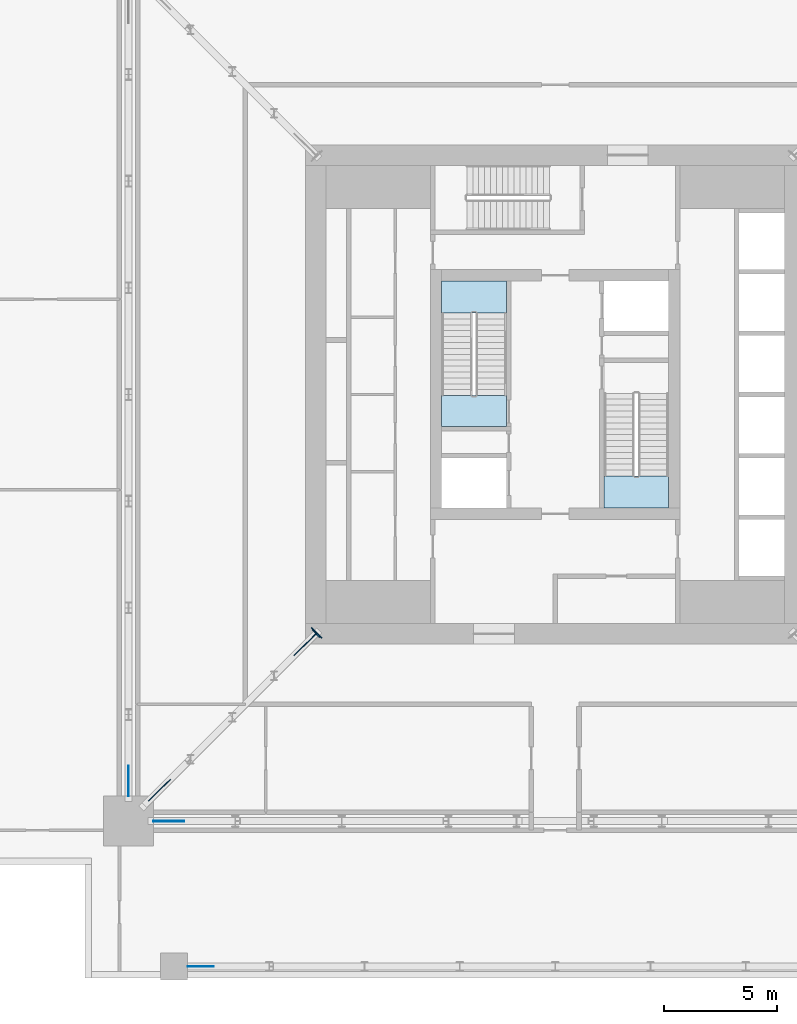
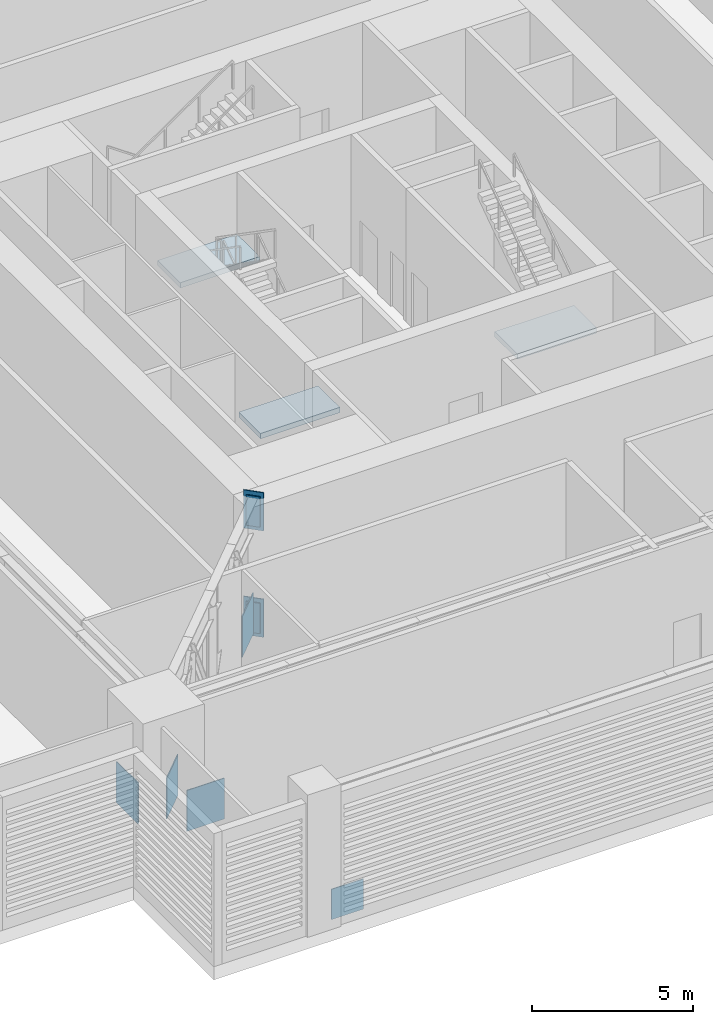
# One storey, part 5 of 16: 9 plates, 3 slabs, 2 elements without a shape of their own.
"""IFC4 building model written with IfcOpenShell, lengths in metres."""

import ifcopenshell
import ifcopenshell.guid

model = None  # the IFC model being written
_history = None  # IfcOwnerHistory: only IFC2X3 demands one
_inside = {}  # id of a spatial element -> (the spatial element, [elements in it])
_under = {}  # id of a project, library or spatial element -> (it, [spatial elements below it])
_declared = {}  # id of a project -> (the project, [libraries it declares])
_typed = {}  # id of a type object -> (the type object, [elements of that type])
_made_of = {}  # id of a material, layer set ... -> (it, [elements and type objects made of it])


def new_model(schema):
    """Start an empty IFC model of exactly this schema.

    Asked for "IFC4X3", IfcOpenShell would pick the latest addendum, in which some entities
    have other attributes; the version numbers below select the first issue.
    IFC2X3 requires an IfcOwnerHistory on every rooted entity: one is made here for all.
    """
    global model, _history
    if schema == "IFC4X3":
        model = ifcopenshell.file(schema_version=(4, 3, 0, 0))
    else:
        model = ifcopenshell.file(schema=schema)
    _inside.clear()
    _under.clear()
    _declared.clear()
    _typed.clear()
    _made_of.clear()
    _history = None
    if model.schema == "IFC2X3":
        org = make("IfcOrganization", Name="unknown")
        user = make(
            "IfcPersonAndOrganization",
            ThePerson=make("IfcPerson", FamilyName="unknown"),
            TheOrganization=org,
        )
        app = make(
            "IfcApplication",
            ApplicationDeveloper=org,
            Version="unknown",
            ApplicationFullName="unknown",
            ApplicationIdentifier="unknown",
        )
        _history = make(
            "IfcOwnerHistory",
            OwningUser=user,
            OwningApplication=app,
            ChangeAction="ADDED",
            CreationDate=0,
        )
    return model


def make(cls, **values):
    """One entity of the class cls with the attributes given. An attribute that is None is left unset."""
    return model.create_entity(
        cls, **{name: value for name, value in values.items() if value is not None}
    )


def rooted(cls, **values):
    """An entity with a GlobalId (a new one), such as an element, a storey or a relation."""
    return make(cls, GlobalId=ifcopenshell.guid.new(), OwnerHistory=_history, **values)


def si_unit(unit_type, name, prefix=None):
    """IfcSIUnit, for example si_unit("LENGTHUNIT", "METRE", prefix="MILLI")."""
    return make("IfcSIUnit", UnitType=unit_type, Prefix=prefix, Name=name)


def assignment(units):
    """IfcUnitAssignment: the units of a project."""
    return None if units is None else make("IfcUnitAssignment", Units=units)


def point(xyz):
    """IfcCartesianPoint."""
    return None if xyz is None else make("IfcCartesianPoint", Coordinates=xyz)


def direction(xyz):
    """IfcDirection."""
    return None if xyz is None else make("IfcDirection", DirectionRatios=xyz)


def frame(location, z_axis=None, x_axis=None):
    """IfcAxis2Placement3D, a coordinate frame: its origin and axes. An axis left out is left unset."""
    return make(
        "IfcAxis2Placement3D",
        Location=point(location),
        Axis=direction(z_axis),
        RefDirection=direction(x_axis),
    )


def frame_2d(location, x_axis=None):
    """IfcAxis2Placement2D, a coordinate frame in the plane: its origin and x axis."""
    return make(
        "IfcAxis2Placement2D", Location=point(location), RefDirection=direction(x_axis)
    )


def origin():
    """The frame at (0, 0, 0) with its axes left unset."""
    return frame((0.0, 0.0, 0.0))


def origin_2d():
    """The frame at (0, 0) in the plane with its x axis left unset."""
    return frame_2d((0.0, 0.0))


def place(relative_to, where):
    """IfcLocalPlacement: puts the frame where relative to a parent placement (None: the world)."""
    return make(
        "IfcLocalPlacement", PlacementRelTo=relative_to, RelativePlacement=where
    )


def context(
    kind, dimensions, precision=None, world=None, true_north=None, identifier=None
):
    """IfcGeometricRepresentationContext, for example the 3D "Model" context."""
    return make(
        "IfcGeometricRepresentationContext",
        ContextIdentifier=identifier,
        ContextType=kind,
        CoordinateSpaceDimension=dimensions,
        Precision=precision,
        WorldCoordinateSystem=world,
        TrueNorth=true_north,
    )


def subcontext(parent, identifier, kind, view, scale=None):
    """IfcGeometricRepresentationSubContext, for example "Body" below "Model"."""
    return make(
        "IfcGeometricRepresentationSubContext",
        ContextIdentifier=identifier,
        ContextType=kind,
        ParentContext=parent,
        TargetScale=scale,
        TargetView=view,
    )


def project(units=None, contexts=None):
    """IfcProject with its units and contexts."""
    return rooted(
        "IfcProject",
        Name="project",
        RepresentationContexts=contexts,
        UnitsInContext=assignment(units),
    )


def spatial(cls, under=None, at=None, **own):
    """A site, building, storey or space (cls), placed at a placement, below another one or the project."""
    s = rooted(cls, ObjectPlacement=at, **own)
    if under is not None:
        _under.setdefault(under.id(), (under, []))[1].append(s)
    return s


def polyline(points):
    """IfcPolyline through the points."""
    return make("IfcPolyline", Points=[point(p) for p in points])


def profile(cls, at=None, kind="AREA", **sizes):
    """A parametric profile (cls). Its sizes go by their IFC names, for example OverallWidth=200.0."""
    return make(cls, ProfileType=kind, Position=at, **sizes)


def rectangle(**sizes):
    """IfcRectangleProfileDef."""
    return profile("IfcRectangleProfileDef", **sizes)


def outline(outer, holes=None, kind="AREA"):
    """IfcArbitraryClosedProfileDef: a profile drawn as a closed curve; with holes, ...WithVoids."""
    if holes is None:
        return make("IfcArbitraryClosedProfileDef", ProfileType=kind, OuterCurve=outer)
    return make(
        "IfcArbitraryProfileDefWithVoids",
        ProfileType=kind,
        OuterCurve=outer,
        InnerCurves=holes,
    )


def extrude(swept, where, along, depth):
    """IfcExtrudedAreaSolid: the profile swept, set in the frame where, extruded along a direction by depth."""
    return make(
        "IfcExtrudedAreaSolid",
        SweptArea=swept,
        Position=where,
        ExtrudedDirection=direction(along),
        Depth=depth,
    )


def shape(context_of_items, identifier, shape_type, items):
    """IfcShapeRepresentation: the items that make up one representation, for example the "Body"."""
    return make(
        "IfcShapeRepresentation",
        ContextOfItems=context_of_items,
        RepresentationIdentifier=identifier,
        RepresentationType=shape_type,
        Items=items,
    )


def material(Name=None, Category=None):
    """IfcMaterial."""
    return make("IfcMaterial", Name=Name, Category=Category)


def layer(
    of_material, thickness, ventilated=None, Name=None, Category=None, Priority=None
):
    """IfcMaterialLayer: one layer of a wall or slab, of a material (None: an air gap)."""
    return make(
        "IfcMaterialLayer",
        Material=of_material,
        LayerThickness=thickness,
        IsVentilated=ventilated,
        Name=Name,
        Category=Category,
        Priority=Priority,
    )


def layer_set(layers, Name=None):
    """IfcMaterialLayerSet."""
    return make("IfcMaterialLayerSet", MaterialLayers=layers, LayerSetName=Name)


def made_of(thing, what):
    """Note that an element or type object is made of a material, layer set ...; save() writes the relation."""
    if what is not None:
        _made_of.setdefault(what.id(), (what, []))[1].append(thing)
    return thing


def type_object(cls, material=None, **own):
    """A type object (cls), such as IfcWallType, which elements share."""
    return made_of(rooted(cls, **own), material)


def element(
    cls,
    number,
    at=None,
    inside=None,
    cuts=None,
    type_object=None,
    material=None,
    context=None,
    identifier="Body",
    shape_type=None,
    held_by="IfcProductDefinitionShape",
    body=None,
    shapes=None,
    **own,
):
    """One element of the class cls, such as IfcWall. Its Tag is "e" and its number.

    at: its placement. inside: the storey or other place that contains it. cuts: it is an
    opening in that element (IfcRelVoidsElement). A single representation is given by context,
    identifier, shape_type and body (its items); several are given by shapes. held_by: the class
    of the entity that holds the representations. save() writes the other relations.
    """
    e = rooted(cls, Tag="e%d" % number, ObjectPlacement=at, **own)
    if body is not None:
        shapes = [shape(context, identifier, shape_type, body)]
    if shapes is not None:
        e.Representation = make(held_by, Representations=shapes)
    if inside is not None:
        _inside.setdefault(inside.id(), (inside, []))[1].append(e)
    if cuts is not None:
        rooted(
            "IfcRelVoidsElement", RelatingBuildingElement=cuts, RelatedOpeningElement=e
        )
    if type_object is not None:
        _typed.setdefault(type_object.id(), (type_object, []))[1].append(e)
    return made_of(e, material)


def aggregate(whole, parts):
    """IfcRelAggregates: a whole, such as a stair, and the parts it consists of."""
    return rooted("IfcRelAggregates", RelatingObject=whole, RelatedObjects=parts)


def save(model, path):
    """Write the relations noted so far, then the file.

    IfcRelAggregates (storeys below a building ...), IfcRelContainedInSpatialStructure (elements
    in a storey), IfcRelDefinesByType, IfcRelAssociatesMaterial and IfcRelDeclares: one each for
    every whole, place, type object, material and project.
    """
    for whole, parts in _under.values():
        aggregate(whole, parts)
    for where, things in _inside.values():
        rooted(
            "IfcRelContainedInSpatialStructure",
            RelatedElements=things,
            RelatingStructure=where,
        )
    for kind, things in _typed.values():
        rooted("IfcRelDefinesByType", RelatedObjects=things, RelatingType=kind)
    for what, things in _made_of.values():
        rooted("IfcRelAssociatesMaterial", RelatedObjects=things, RelatingMaterial=what)
    for by, libraries in _declared.values():
        rooted("IfcRelDeclares", RelatingContext=by, RelatedDefinitions=libraries)
    model.write(path)


model = new_model("IFC4")

# Units and contexts
model_context = context("Model", 3, precision=1e-05, world=origin(), true_north=direction((0.0, 1.0)))
body_context = subcontext(model_context, "Body", "Model", "MODEL_VIEW")
ifc_project = project(units=[si_unit("LENGTHUNIT", "METRE"), si_unit("AREAUNIT", "SQUARE_METRE"), si_unit("VOLUMEUNIT", "CUBIC_METRE"), si_unit("PLANEANGLEUNIT", "RADIAN"), si_unit("MASSUNIT", "GRAM", prefix="KILO")], contexts=[model_context])

# Site, building, storey
site_placement = place(None, origin())
site = spatial("IfcSite", under=ifc_project, at=site_placement, CompositionType="ELEMENT")
building_placement = place(site_placement, origin())
building = spatial("IfcBuilding", under=site, at=building_placement, Name="Khepri Terraces", CompositionType="ELEMENT")
storey_placement = place(building_placement, frame((0.0, 0.0, 287.39990234375)))
storey = spatial("IfcBuildingStorey", under=building, at=storey_placement, Name="L69", CompositionType="ELEMENT", Elevation=287.39990234375)

# Plates
ifc_material_1 = material(Name="Steel S355", Category="steel")
ifc_layer_1 = layer(ifc_material_1, 0.034912109375, Name="Steel S355", Category="steel")
ifc_layer_set_1 = layer_set([ifc_layer_1], Name="Steel S355")
plate_type_1 = type_object("IfcPlateType", Name="Cast-in plate 1450x650x35", PredefinedType="USERDEFINED", material=ifc_layer_set_1)
for number, where, z_axis, x_axis, name in (
    (1, (-10.50927734375, -10.50927734375, -0.220703125), (0.0, 0.0, 1.0), (-0.707106781187, -0.707106781187, 0.0), "CAST-IN PLATE OT-69-WS BOT wall A"),
    (2, (-10.50927734375, -10.50927734375, 3.8212890625), (0.0, 0.0, 1.0), (-0.707106781187, -0.707106781187, 0.0), "CAST-IN PLATE OT-69-WS TOP wall A"),
):
    element("IfcPlate", number, at=place(storey_placement, frame(where, z_axis=z_axis, x_axis=x_axis)), inside=storey, type_object=plate_type_1, Name=name, ObjectType="CAST-IN PLATE", PredefinedType="USERDEFINED", context=body_context, shape_type="SweptSolid", body=[
        extrude(rectangle(XDim=0.034912109375, YDim=0.64990234375, at=origin_2d()), origin(), (0.0, 0.0, 1.0), 1.449951171875),
    ])
ifc_layer_2 = layer(ifc_material_1, 0.0400390625, Name="Steel S355", Category="steel")
ifc_layer_set_2 = layer_set([ifc_layer_2], Name="Steel S355")
plate_type_2 = type_object("IfcPlateType", Name="End plate 1150x450x40", PredefinedType="USERDEFINED", material=ifc_layer_set_2)
for number, where, z_axis, x_axis, name in (
    (3, (-10.535888671875, -10.535888671875, -0.07080078125), (0.0, 0.0, 1.0), (-0.707106781187, -0.707106781187, 0.0), "END PLATE OT-69-WS BOT end A"),
    (4, (-10.535888671875, -10.535888671875, 3.97119140625), (0.0, 0.0, 1.0), (-0.707106781187, -0.707106781187, 0.0), "END PLATE OT-69-WS TOP end A"),
):
    element("IfcPlate", number, at=place(storey_placement, frame(where, z_axis=z_axis, x_axis=x_axis)), inside=storey, type_object=plate_type_2, Name=name, ObjectType="END PLATE", PredefinedType="USERDEFINED", context=body_context, shape_type="SweptSolid", body=[
        extrude(rectangle(XDim=0.0400390625, YDim=0.449951171875, at=origin_2d()), origin(), (0.0, 0.0, 1.0), 1.14990234375),
    ])
ifc_layer_3 = layer(ifc_material_1, 0.030029296875, Name="Steel S355", Category="steel")
ifc_layer_set_3 = layer_set([ifc_layer_3], Name="Steel S355")
plate_type_3 = type_object("IfcPlateType", Name="Gusset plate 1150x1150x30", PredefinedType="USERDEFINED", material=ifc_layer_set_3)
plate_placement = place(storey_placement, frame((-15.625, -25.199951171875, -0.099853515625), z_axis=(0.0, 0.0, 1.0), x_axis=(1.0, 0.0, 0.0)))
element("IfcPlate", 5, at=plate_placement, inside=storey, type_object=plate_type_3, Name="GUSSET PLATE TT-69-S column node A", ObjectType="GUSSET PLATE", PredefinedType="USERDEFINED", context=body_context, shape_type="SweptSolid", body=[
    extrude(rectangle(XDim=1.14990234375, YDim=0.030029296875, at=origin_2d()), origin(), (0.0, 0.0, 1.0), 1.14990234375),
])
ifc_layer_4 = layer(ifc_material_1, 0.034912109375, Name="Steel S355", Category="steel")
ifc_layer_set_4 = layer_set([ifc_layer_4], Name="Steel S355")
plate_type_4 = type_object("IfcPlateType", Name="Gusset plate 1350x1550x35", PredefinedType="USERDEFINED", material=ifc_layer_set_4)
for number, where, z_axis, x_axis, name in (
    (6, (-11.02734375, -11.02734375, -0.10009765625), (0.0, 0.0, 1.0), (-0.707106781187, -0.707106781187, 0.0), "GUSSET PLATE OT-69-WS node A"),
    (7, (-17.434814453125, -17.434814453125, -0.10009765625), (0.0, 0.0, 1.0), (-0.707106781187, -0.707106781187, 0.0), "GUSSET PLATE OT-69-WS column node B"),
    (8, (-17.02490234375, -18.800048828125, -0.10009765625), (0.0, 0.0, 1.0), (1.0, 0.0, 0.0), "GUSSET PLATE BT-69-S column node A"),
    (9, (-18.800048828125, -17.02490234375, -0.10009765625), (0.0, 0.0, 1.0), (0.0, -1.0, 0.0), "GUSSET PLATE BT-69-W column node B"),
):
    element("IfcPlate", number, at=place(storey_placement, frame(where, z_axis=z_axis, x_axis=x_axis)), inside=storey, type_object=plate_type_4, Name=name, ObjectType="GUSSET PLATE", PredefinedType="USERDEFINED", context=body_context, shape_type="SweptSolid", body=[
        extrude(rectangle(XDim=1.35009765625, YDim=0.034912109375, at=origin_2d()), origin(), (0.0, 0.0, 1.0), 1.550048828125),
    ])

# Stair, slabs
ifc_material_2 = material(Name="Concrete C40/50", Category="concrete")
stair_type = type_object("IfcStairType", Name="STAIR-RC-30R", PredefinedType="HALF_TURN_STAIR", material=ifc_material_2)
stair_1_placement = place(storey_placement, origin())
stair_1 = element("IfcStair", 10, at=stair_1_placement, inside=storey, type_object=stair_type, Name="L69 Exit Stair ST-1", PredefinedType="HALF_TURN_STAIR")
ifc_layer_5 = layer(ifc_material_2, 0.199951171875, Name="Concrete C40/50", Category="concrete")
ifc_layer_set_5 = layer_set([ifc_layer_5], Name="Concrete C40/50")
slab_type = type_object("IfcSlabType", Name="SLB-CORE-LANDING", PredefinedType="LANDING", material=ifc_layer_set_5)
slab_1_placement = place(storey_placement, frame((0.0, 0.0, -0.199951171875)))
slab_1 = element("IfcSlab", 11, at=slab_1_placement, type_object=slab_type, Name="ST-1 landing 1", PredefinedType="LANDING", context=body_context, shape_type="SweptSolid", body=[
    extrude(outline(polyline([(-2.14990234375, -1.39990234375), (-2.14990234375, -0.050048828125), (-5.0, -0.050048828125), (-5.0, -1.39990234375), (-2.14990234375, -1.39990234375)])), origin(), (0.0, 0.0, 1.0), 0.199951171875),
])
slab_2_placement = place(storey_placement, frame((0.0, 0.0, 2.5)))
slab_2 = element("IfcSlab", 12, at=slab_2_placement, type_object=slab_type, Name="ST-1 landing 2", PredefinedType="LANDING", context=body_context, shape_type="SweptSolid", body=[
    extrude(outline(polyline([(-2.14990234375, 3.590087890625), (-2.14990234375, 5.0), (-5.0, 5.0), (-5.0, 3.590087890625), (-2.14990234375, 3.590087890625)])), origin(), (0.0, 0.0, 1.0), 0.2001953125),
])
aggregate(stair_1, [slab_1, slab_2])

# Stair, slab
stair_2_placement = place(storey_placement, origin())
stair_2 = element("IfcStair", 13, at=stair_2_placement, inside=storey, type_object=stair_type, Name="L69 Exit Stair ST-2", PredefinedType="HALF_TURN_STAIR")
slab_3_placement = place(storey_placement, frame((0.0, 0.0, 2.5)))
slab_3 = element("IfcSlab", 14, at=slab_3_placement, type_object=slab_type, Name="ST-2 landing 2", PredefinedType="LANDING", context=body_context, shape_type="SweptSolid", body=[
    extrude(outline(polyline([(2.14990234375, -3.590087890625), (2.14990234375, -5.0), (5.0, -5.0), (5.0, -3.590087890625), (2.14990234375, -3.590087890625)])), origin(), (0.0, 0.0, 1.0), 0.2001953125),
])
aggregate(stair_2, [slab_3])

save(model, "model.ifc")
